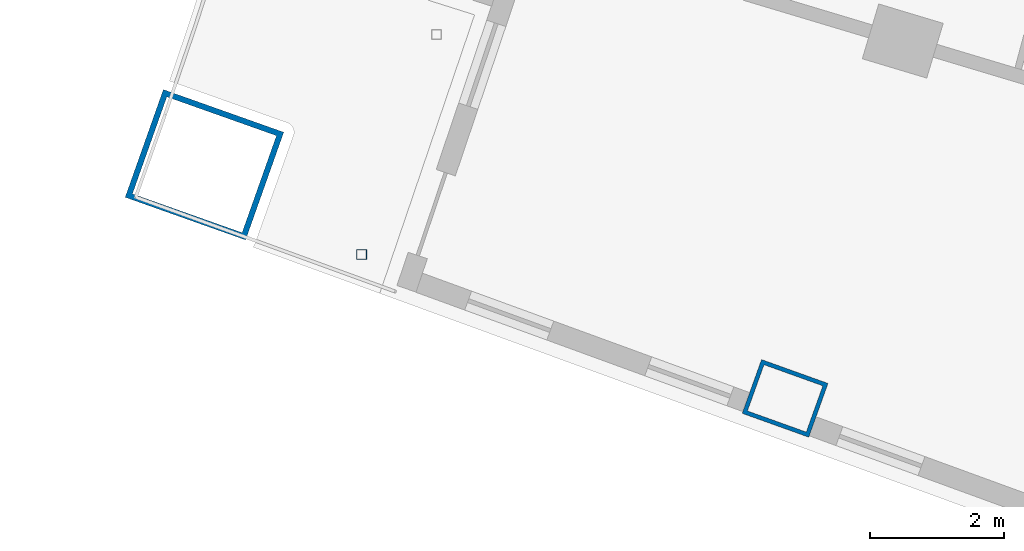
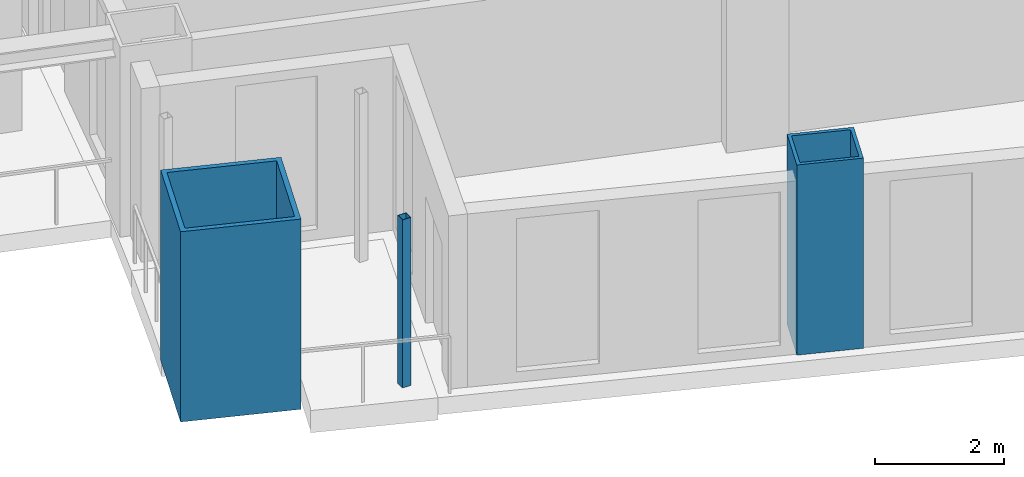
# One storey, part 1 of 25: 3 columns.
"""IFC4 building model written with IfcOpenShell, lengths in metres."""

from ifc_helpers import new_model, si_unit, direction, frame, origin, origin_2d, place, context, subcontext, project, spatial, hollow_rectangle, extrude, material, material_profile, profile_set, type_object, element, save


model = new_model("IFC4")

# Units and contexts
model_context = context("Model", 3, precision=1e-05, world=origin(), true_north=direction((0.0, 1.0)))
body_context = subcontext(model_context, "Body", "Model", "MODEL_VIEW")
ifc_project = project(units=[si_unit("LENGTHUNIT", "METRE"), si_unit("AREAUNIT", "SQUARE_METRE"), si_unit("VOLUMEUNIT", "CUBIC_METRE"), si_unit("PLANEANGLEUNIT", "RADIAN"), si_unit("MASSUNIT", "GRAM", prefix="KILO")], contexts=[model_context])

# Site, building, storey
site_placement = place(None, origin())
site = spatial("IfcSite", under=ifc_project, at=site_placement, CompositionType="ELEMENT")
building_placement = place(site_placement, origin())
building = spatial("IfcBuilding", under=site, at=building_placement, Name="Alderwake Tower", CompositionType="ELEMENT")
storey_placement = place(building_placement, frame((0.0, 0.0, 89.60009765625)))
storey = spatial("IfcBuildingStorey", under=building, at=storey_placement, Name="L21", CompositionType="ELEMENT", Elevation=89.60009765625)

# Columns
ifc_material_1 = material(Name="Steel ASTM A572 Grade 50 concrete filled C70/85", Category="concrete")
ifc_material_profile_1 = material_profile(ifc_material_1, hollow_rectangle(XDim=0.85009765625, YDim=1.050048828125, WallThickness=0.06005859375, at=origin_2d()), Name="BOX 1050X850X60")
ifc_profile_set_1 = profile_set([ifc_material_profile_1], Name="Steel ASTM A572 Grade 50 concrete filled C70/85")
column_type_1 = type_object("IfcColumnType", Name="End column Z2", PredefinedType="COLUMN", material=ifc_profile_set_1)
column_1_placement = place(storey_placement, frame((19.965576171875, 25.1484375, 0.0), z_axis=(0.0, 0.0, 1.0), x_axis=(0.337584879279, 0.9412950915, 0.0)))
element("IfcColumn", 1, at=column_1_placement, inside=storey, type_object=column_type_1, Name="Column R01-C1", PredefinedType="COLUMN", context=body_context, shape_type="SweptSolid", body=[
    extrude(hollow_rectangle(XDim=0.85009765625, YDim=1.050048828125, WallThickness=0.06005859375, at=origin_2d()), origin(), (0.0, 0.0, 1.0), 3.599853515625),
])
ifc_material_2 = material(Name="Steel ASTM A500 Grade C", Category="steel")
ifc_material_profile_2 = material_profile(ifc_material_2, hollow_rectangle(XDim=0.15234375, YDim=0.15234375, WallThickness=0.0087890625, at=origin_2d()), Name="HSS6X6X3/8")
ifc_profile_set_2 = profile_set([ifc_material_profile_2], Name="Steel ASTM A500 Grade C")
column_type_2 = type_object("IfcColumnType", Name="Light post HSS6X6X3/8", PredefinedType="COLUMN", material=ifc_profile_set_2)
column_2_placement = place(storey_placement, frame((13.66796875, 27.28759765625, 0.0), z_axis=(0.0, 0.0, 1.0), x_axis=(1.0, 0.0, 0.0)))
element("IfcColumn", 2, at=column_2_placement, inside=storey, type_object=column_type_2, Name="Terrace post RS2", PredefinedType="COLUMN", context=body_context, shape_type="SweptSolid", body=[
    extrude(hollow_rectangle(XDim=0.15234375, YDim=0.15234375, WallThickness=0.0087890625, at=origin_2d()), origin(), (0.0, 0.0, 1.0), 3.179931640625),
])
ifc_material_3 = material(Name="Steel ASTM A572 Grade 50 concrete filled C70/85", Category="concrete")
ifc_material_profile_3 = material_profile(ifc_material_3, hollow_rectangle(XDim=1.699951171875, YDim=1.89990234375, WallThickness=0.0849609375, at=origin_2d()), Name="BOX 1900X1700X85")
ifc_profile_set_3 = profile_set([ifc_material_profile_3], Name="Steel ASTM A572 Grade 50 concrete filled C70/85")
column_type_3 = type_object("IfcColumnType", Name="Mega column Z2", PredefinedType="COLUMN", material=ifc_profile_set_3)
column_3_placement = place(storey_placement, frame((11.330810546875, 28.622802734375, 0.0), z_axis=(0.0, 0.0, 1.0), x_axis=(0.334130947791, 0.942526662609, 0.0)))
element("IfcColumn", 3, at=column_3_placement, inside=storey, type_object=column_type_3, Name="Column R01-C0", PredefinedType="COLUMN", context=body_context, shape_type="SweptSolid", body=[
    extrude(hollow_rectangle(XDim=1.699951171875, YDim=1.89990234375, WallThickness=0.0849609375, at=origin_2d()), origin(), (0.0, 0.0, 1.0), 3.599853515625),
])

save(model, "model.ifc")
